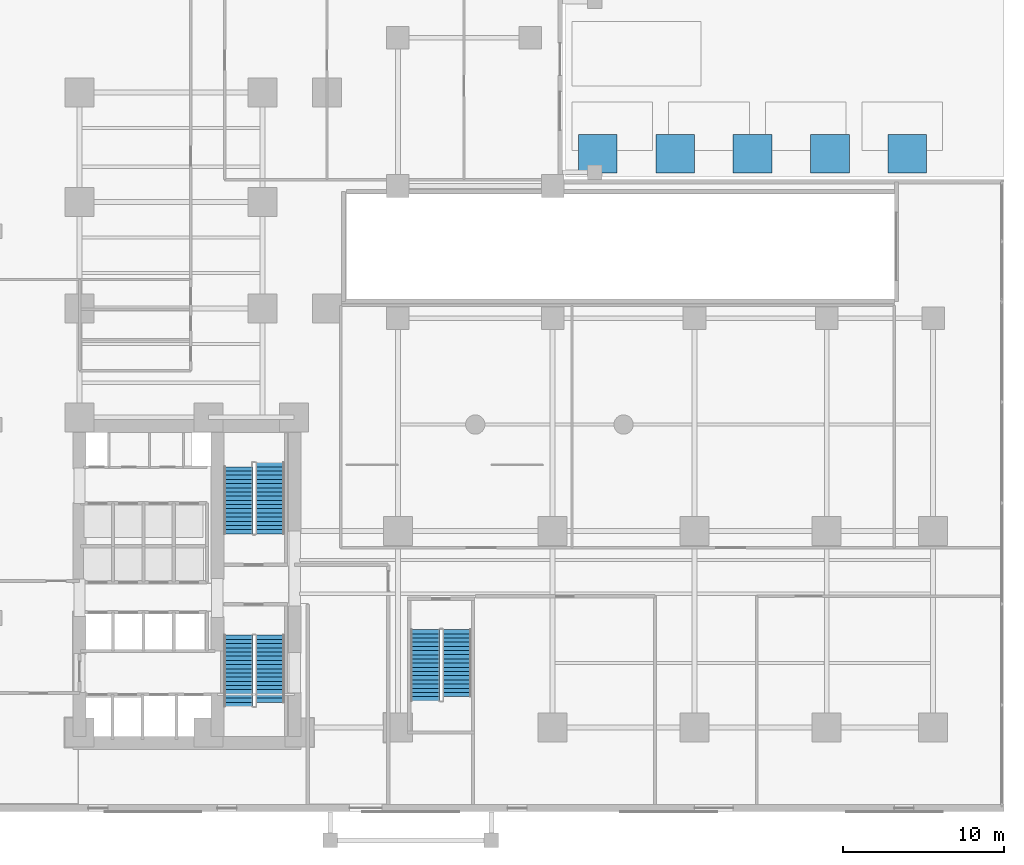
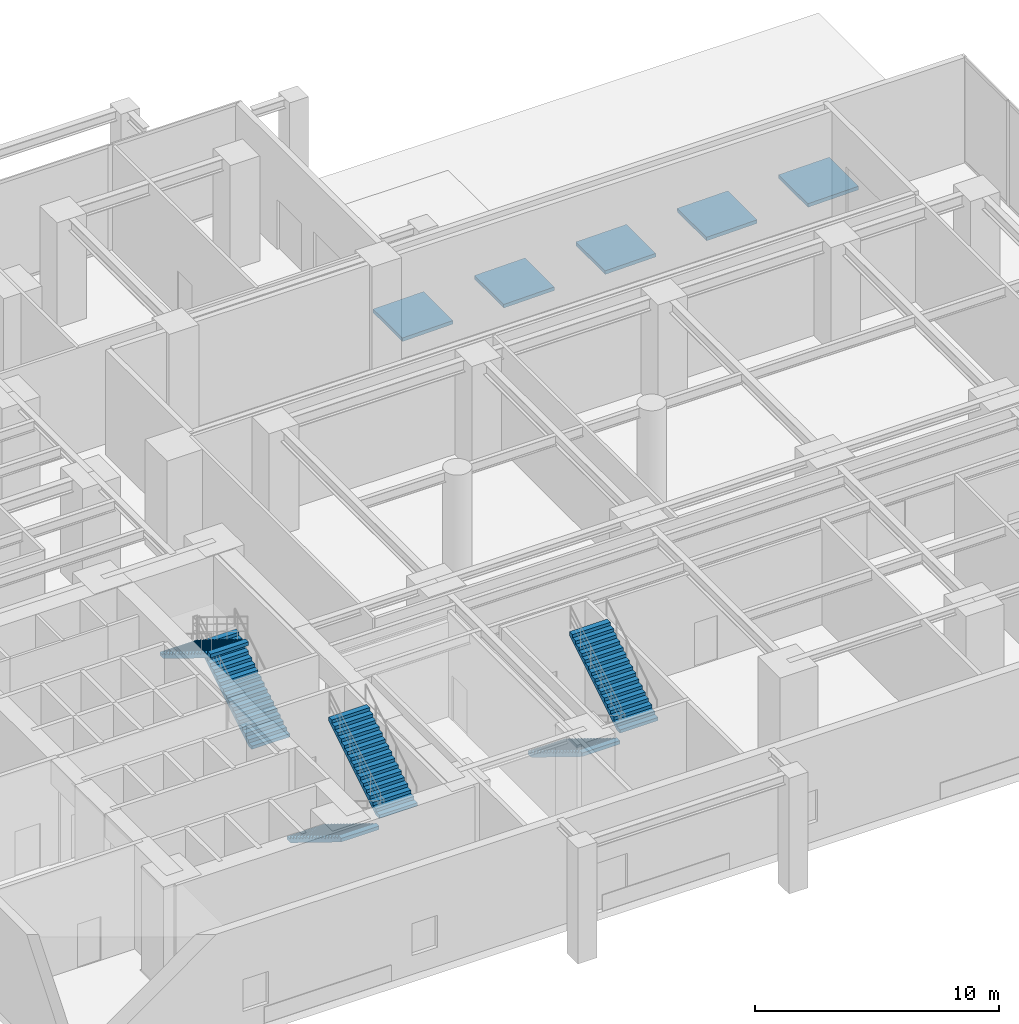
# One storey, part 14 of 17: 6 stair flights, 5 ramp flights, 8 elements without a shape of their own.
"""IFC4 building model written with IfcOpenShell, lengths in metres."""

from ifc_helpers import new_model, si_unit, direction, frame, origin, place, context, subcontext, project, spatial, polyline, outline, extrude, material, layer, layer_set, type_object, element, aggregate, save


model = new_model("IFC4")

# Units and contexts
model_context = context("Model", 3, precision=1e-05, world=origin(), true_north=direction((0.0, 1.0)))
body_context = subcontext(model_context, "Body", "Model", "MODEL_VIEW")
ifc_project = project(units=[si_unit("LENGTHUNIT", "METRE"), si_unit("AREAUNIT", "SQUARE_METRE"), si_unit("VOLUMEUNIT", "CUBIC_METRE"), si_unit("PLANEANGLEUNIT", "RADIAN"), si_unit("MASSUNIT", "GRAM", prefix="KILO")], contexts=[model_context])

# Site, building, storey
site_placement = place(None, origin())
site = spatial("IfcSite", under=ifc_project, at=site_placement, CompositionType="ELEMENT")
building_placement = place(site_placement, origin())
building = spatial("IfcBuilding", under=site, at=building_placement, Name="Kolvaren Waterfront Exchange", CompositionType="ELEMENT")
storey_placement = place(building_placement, origin())
storey = spatial("IfcBuildingStorey", under=building, at=storey_placement, Name="L01", CompositionType="ELEMENT", Elevation=0.0)

# Stair, stair flights
ifc_material = material(Name="Concrete C40/50", Category="concrete")
stair_type = type_object("IfcStairType", Name="ARC-STAIR-5600", PredefinedType="HALF_TURN_STAIR", material=ifc_material)
stair_1_placement = place(storey_placement, origin())
stair_1 = element("IfcStair", 1, at=stair_1_placement, inside=storey, type_object=stair_type, Name="L01 Smoke-proof exit stair ST1", PredefinedType="HALF_TURN_STAIR")
stair_flight_type = type_object("IfcStairFlightType", Name="ARC-FLIGHT-5600", PredefinedType="STRAIGHT", material=ifc_material)
stair_flight_1_placement = place(storey_placement, frame((17.300048828125, 10.929931640625, 0.0), z_axis=(0.0, 0.0, 1.0), x_axis=(0.0, -1.0, 0.0)))
stair_flight_1 = element("IfcStairFlight", 2, at=stair_flight_1_placement, type_object=stair_flight_type, Name="ST1 flight 1", NumberOfRisers=18, NumberOfTreads=17, PredefinedType="STRAIGHT", RiserHeight=0.16, TreadLength=0.26, context=body_context, shape_type="SweptSolid", body=[
    extrude(outline(polyline([(0.0, 0.0), (0.0, 0.159912109375), (0.260009765625, 0.159912109375), (0.260009765625, 0.320068359375), (0.52001953125, 0.320068359375), (0.52001953125, 0.47998046875), (0.780029296875, 0.47998046875), (0.780029296875, 0.639892578125), (1.0400390625, 0.639892578125), (1.0400390625, 0.800048828125), (1.300048828125, 0.800048828125), (1.300048828125, 0.9599609375), (1.56005859375, 0.9599609375), (1.56005859375, 1.1201171875), (1.820068359375, 1.1201171875), (1.820068359375, 1.280029296875), (2.080078125, 1.280029296875), (2.080078125, 1.43994140625), (2.340087890625, 1.43994140625), (2.340087890625, 1.60009765625), (2.60009765625, 1.60009765625), (2.60009765625, 1.760009765625), (2.860107421875, 1.760009765625), (2.860107421875, 1.919921875), (3.1201171875, 1.919921875), (3.1201171875, 2.080078125), (3.3798828125, 2.080078125), (3.3798828125, 2.239990234375), (3.639892578125, 2.239990234375), (3.639892578125, 2.39990234375), (3.89990234375, 2.39990234375), (3.89990234375, 2.56005859375), (4.159912109375, 2.56005859375), (4.159912109375, 2.719970703125), (4.419921875, 2.719970703125), (4.419921875, 2.8798828125), (4.419921875, 2.5439453125), (0.2861328125, 0.0), (0.0, 0.0)])), frame((0.0, 0.89990234375, 0.0), z_axis=(0.0, -1.0, 0.0), x_axis=(1.0, 0.0, 0.0)), (0.0, 0.0, 1.0), 1.800048828125),
])
stair_flight_2_placement = place(storey_placement, frame((19.260009765625, 6.77001953125, 2.8798828125), z_axis=(0.0, 0.0, 1.0), x_axis=(0.0, 1.0, 0.0)))
stair_flight_2 = element("IfcStairFlight", 3, at=stair_flight_2_placement, type_object=stair_flight_type, Name="ST1 flight 2", NumberOfRisers=17, NumberOfTreads=16, PredefinedType="STRAIGHT", RiserHeight=0.16, TreadLength=0.26, context=body_context, shape_type="SweptSolid", body=[
    extrude(outline(polyline([(0.0, 0.0), (0.0, 0.159912109375), (0.260009765625, 0.159912109375), (0.260009765625, 0.320068359375), (0.52001953125, 0.320068359375), (0.52001953125, 0.47998046875), (0.780029296875, 0.47998046875), (0.780029296875, 0.639892578125), (1.0400390625, 0.639892578125), (1.0400390625, 0.800048828125), (1.300048828125, 0.800048828125), (1.300048828125, 0.9599609375), (1.56005859375, 0.9599609375), (1.56005859375, 1.1201171875), (1.820068359375, 1.1201171875), (1.820068359375, 1.280029296875), (2.080078125, 1.280029296875), (2.080078125, 1.43994140625), (2.340087890625, 1.43994140625), (2.340087890625, 1.60009765625), (2.60009765625, 1.60009765625), (2.60009765625, 1.760009765625), (2.860107421875, 1.760009765625), (2.860107421875, 1.919921875), (3.1201171875, 1.919921875), (3.1201171875, 2.080078125), (3.3798828125, 2.080078125), (3.3798828125, 2.239990234375), (3.639892578125, 2.239990234375), (3.639892578125, 2.39990234375), (3.89990234375, 2.39990234375), (3.89990234375, 2.56005859375), (4.159912109375, 2.56005859375), (4.159912109375, 2.719970703125), (4.159912109375, 2.384033203125), (0.2861328125, 0.0), (0.0, 0.0)])), frame((0.0, 0.89990234375, 0.0), z_axis=(0.0, -1.0, 0.0), x_axis=(1.0, 0.0, 0.0)), (0.0, 0.0, 1.0), 1.800048828125),
])
aggregate(stair_1, [stair_flight_1, stair_flight_2])

stair_2_placement = place(storey_placement, origin())
stair_2 = element("IfcStair", 4, at=stair_2_placement, inside=storey, type_object=stair_type, Name="L01 Smoke-proof exit stair ST2", PredefinedType="HALF_TURN_STAIR")
stair_flight_3_placement = place(storey_placement, frame((19.260009765625, 17.219970703125, 0.0), z_axis=(0.0, 0.0, 1.0), x_axis=(0.0, 1.0, 0.0)))
stair_flight_3 = element("IfcStairFlight", 5, at=stair_flight_3_placement, type_object=stair_flight_type, Name="ST2 flight 1", NumberOfRisers=18, NumberOfTreads=17, PredefinedType="STRAIGHT", RiserHeight=0.16, TreadLength=0.26, context=body_context, shape_type="SweptSolid", body=[
    extrude(outline(polyline([(0.0, 0.0), (0.0, 0.159912109375), (0.260009765625, 0.159912109375), (0.260009765625, 0.320068359375), (0.52001953125, 0.320068359375), (0.52001953125, 0.47998046875), (0.780029296875, 0.47998046875), (0.780029296875, 0.639892578125), (1.0400390625, 0.639892578125), (1.0400390625, 0.800048828125), (1.300048828125, 0.800048828125), (1.300048828125, 0.9599609375), (1.56005859375, 0.9599609375), (1.56005859375, 1.1201171875), (1.820068359375, 1.1201171875), (1.820068359375, 1.280029296875), (2.080078125, 1.280029296875), (2.080078125, 1.43994140625), (2.340087890625, 1.43994140625), (2.340087890625, 1.60009765625), (2.60009765625, 1.60009765625), (2.60009765625, 1.760009765625), (2.860107421875, 1.760009765625), (2.860107421875, 1.919921875), (3.1201171875, 1.919921875), (3.1201171875, 2.080078125), (3.3798828125, 2.080078125), (3.3798828125, 2.239990234375), (3.639892578125, 2.239990234375), (3.639892578125, 2.39990234375), (3.89990234375, 2.39990234375), (3.89990234375, 2.56005859375), (4.159912109375, 2.56005859375), (4.159912109375, 2.719970703125), (4.419921875, 2.719970703125), (4.419921875, 2.8798828125), (4.419921875, 2.5439453125), (0.2861328125, 0.0), (0.0, 0.0)])), frame((0.0, 0.89990234375, 0.0), z_axis=(0.0, -1.0, 0.0), x_axis=(1.0, 0.0, 0.0)), (0.0, 0.0, 1.0), 1.800048828125),
])
stair_flight_4_placement = place(storey_placement, frame((17.300048828125, 21.3798828125, 2.8798828125), z_axis=(0.0, 0.0, 1.0), x_axis=(0.0, -1.0, 0.0)))
stair_flight_4 = element("IfcStairFlight", 6, at=stair_flight_4_placement, type_object=stair_flight_type, Name="ST2 flight 2", NumberOfRisers=17, NumberOfTreads=16, PredefinedType="STRAIGHT", RiserHeight=0.16, TreadLength=0.26, context=body_context, shape_type="SweptSolid", body=[
    extrude(outline(polyline([(0.0, 0.0), (0.0, 0.159912109375), (0.260009765625, 0.159912109375), (0.260009765625, 0.320068359375), (0.52001953125, 0.320068359375), (0.52001953125, 0.47998046875), (0.780029296875, 0.47998046875), (0.780029296875, 0.639892578125), (1.0400390625, 0.639892578125), (1.0400390625, 0.800048828125), (1.300048828125, 0.800048828125), (1.300048828125, 0.9599609375), (1.56005859375, 0.9599609375), (1.56005859375, 1.1201171875), (1.820068359375, 1.1201171875), (1.820068359375, 1.280029296875), (2.080078125, 1.280029296875), (2.080078125, 1.43994140625), (2.340087890625, 1.43994140625), (2.340087890625, 1.60009765625), (2.60009765625, 1.60009765625), (2.60009765625, 1.760009765625), (2.860107421875, 1.760009765625), (2.860107421875, 1.919921875), (3.1201171875, 1.919921875), (3.1201171875, 2.080078125), (3.3798828125, 2.080078125), (3.3798828125, 2.239990234375), (3.639892578125, 2.239990234375), (3.639892578125, 2.39990234375), (3.89990234375, 2.39990234375), (3.89990234375, 2.56005859375), (4.159912109375, 2.56005859375), (4.159912109375, 2.719970703125), (4.159912109375, 2.384033203125), (0.2861328125, 0.0), (0.0, 0.0)])), frame((0.0, 0.89990234375, 0.0), z_axis=(0.0, -1.0, 0.0), x_axis=(1.0, 0.0, 0.0)), (0.0, 0.0, 1.0), 1.800048828125),
])
aggregate(stair_2, [stair_flight_3, stair_flight_4])

stair_3_placement = place(storey_placement, origin())
stair_3 = element("IfcStair", 7, at=stair_3_placement, inside=storey, type_object=stair_type, Name="L01 Exit stair ST3", PredefinedType="HALF_TURN_STAIR")
stair_flight_5_placement = place(storey_placement, frame((28.89990234375, 11.280029296875, 0.0), z_axis=(0.0, 0.0, 1.0), x_axis=(0.0, -1.0, 0.0)))
stair_flight_5 = element("IfcStairFlight", 8, at=stair_flight_5_placement, type_object=stair_flight_type, Name="ST3 flight 1", NumberOfRisers=18, NumberOfTreads=17, PredefinedType="STRAIGHT", RiserHeight=0.16, TreadLength=0.26, context=body_context, shape_type="SweptSolid", body=[
    extrude(outline(polyline([(0.0, 0.0), (0.0, 0.159912109375), (0.260009765625, 0.159912109375), (0.260009765625, 0.320068359375), (0.52001953125, 0.320068359375), (0.52001953125, 0.47998046875), (0.780029296875, 0.47998046875), (0.780029296875, 0.639892578125), (1.0400390625, 0.639892578125), (1.0400390625, 0.800048828125), (1.300048828125, 0.800048828125), (1.300048828125, 0.9599609375), (1.56005859375, 0.9599609375), (1.56005859375, 1.1201171875), (1.820068359375, 1.1201171875), (1.820068359375, 1.280029296875), (2.080078125, 1.280029296875), (2.080078125, 1.43994140625), (2.340087890625, 1.43994140625), (2.340087890625, 1.60009765625), (2.60009765625, 1.60009765625), (2.60009765625, 1.760009765625), (2.860107421875, 1.760009765625), (2.860107421875, 1.919921875), (3.1201171875, 1.919921875), (3.1201171875, 2.080078125), (3.3798828125, 2.080078125), (3.3798828125, 2.239990234375), (3.639892578125, 2.239990234375), (3.639892578125, 2.39990234375), (3.89990234375, 2.39990234375), (3.89990234375, 2.56005859375), (4.159912109375, 2.56005859375), (4.159912109375, 2.719970703125), (4.419921875, 2.719970703125), (4.419921875, 2.8798828125), (4.419921875, 2.5439453125), (0.2861328125, 0.0), (0.0, 0.0)])), frame((0.0, 0.89990234375, 0.0), z_axis=(0.0, -1.0, 0.0), x_axis=(1.0, 0.0, 0.0)), (0.0, 0.0, 1.0), 1.800048828125),
])
stair_flight_6_placement = place(storey_placement, frame((30.860107421875, 7.1201171875, 2.8798828125), z_axis=(0.0, 0.0, 1.0), x_axis=(0.0, 1.0, 0.0)))
stair_flight_6 = element("IfcStairFlight", 9, at=stair_flight_6_placement, type_object=stair_flight_type, Name="ST3 flight 2", NumberOfRisers=17, NumberOfTreads=16, PredefinedType="STRAIGHT", RiserHeight=0.16, TreadLength=0.26, context=body_context, shape_type="SweptSolid", body=[
    extrude(outline(polyline([(0.0, 0.0), (0.0, 0.159912109375), (0.260009765625, 0.159912109375), (0.260009765625, 0.320068359375), (0.52001953125, 0.320068359375), (0.52001953125, 0.47998046875), (0.780029296875, 0.47998046875), (0.780029296875, 0.639892578125), (1.0400390625, 0.639892578125), (1.0400390625, 0.800048828125), (1.300048828125, 0.800048828125), (1.300048828125, 0.9599609375), (1.56005859375, 0.9599609375), (1.56005859375, 1.1201171875), (1.820068359375, 1.1201171875), (1.820068359375, 1.280029296875), (2.080078125, 1.280029296875), (2.080078125, 1.43994140625), (2.340087890625, 1.43994140625), (2.340087890625, 1.60009765625), (2.60009765625, 1.60009765625), (2.60009765625, 1.760009765625), (2.860107421875, 1.760009765625), (2.860107421875, 1.919921875), (3.1201171875, 1.919921875), (3.1201171875, 2.080078125), (3.3798828125, 2.080078125), (3.3798828125, 2.239990234375), (3.639892578125, 2.239990234375), (3.639892578125, 2.39990234375), (3.89990234375, 2.39990234375), (3.89990234375, 2.56005859375), (4.159912109375, 2.56005859375), (4.159912109375, 2.719970703125), (4.159912109375, 2.384033203125), (0.2861328125, 0.0), (0.0, 0.0)])), frame((0.0, 0.89990234375, 0.0), z_axis=(0.0, -1.0, 0.0), x_axis=(1.0, 0.0, 0.0)), (0.0, 0.0, 1.0), 1.800048828125),
])
aggregate(stair_3, [stair_flight_5, stair_flight_6])

# Ramp, ramp flight
ramp_type = type_object("IfcRampType", Name="STR-RAMP-PED", PredefinedType="STRAIGHT_RUN_RAMP", material=ifc_material)
ramp_1_placement = place(storey_placement, origin())
ramp_1 = element("IfcRamp", 10, at=ramp_1_placement, inside=storey, type_object=ramp_type, Name="L01 waterfront promenade accessible threshold ramp 1", PredefinedType="STRAIGHT_RUN_RAMP")
ifc_layer = layer(ifc_material, 0.179931640625, Name="Concrete C40/50")
ifc_layer_set = layer_set([ifc_layer], Name="Concrete C40/50")
ramp_flight_type = type_object("IfcRampFlightType", Name="STR-RFLIGHT-180", PredefinedType="STRAIGHT", material=ifc_layer_set)
ramp_flight_1_placement = place(storey_placement, frame((38.39990234375, 39.60009765625, 0.0), z_axis=(-0.016679603831, 0.0, 0.999860885732), x_axis=(0.999860885732, 0.0, 0.016679603831)))
ramp_flight_1 = element("IfcRampFlight", 11, at=ramp_flight_1_placement, type_object=ramp_flight_type, Name="Accessible ramp flight 1", PredefinedType="STRAIGHT", context=body_context, shape_type="SweptSolid", body=[
    extrude(outline(polyline([(0.0, 0.0), (2.400480425453112, 0.0), (2.400480425453112, 2.39990234375), (0.0, 2.39990234375), (0.0, 0.0)])), origin(), (0.0, 0.0, -1.0), 0.179931640625),
])
aggregate(ramp_1, [ramp_flight_1])

ramp_2_placement = place(storey_placement, origin())
ramp_2 = element("IfcRamp", 12, at=ramp_2_placement, inside=storey, type_object=ramp_type, Name="L01 waterfront promenade accessible threshold ramp 2", PredefinedType="STRAIGHT_RUN_RAMP")
ramp_flight_2_placement = place(storey_placement, frame((43.199951171875, 39.60009765625, 0.0), z_axis=(-0.016679603831, 0.0, 0.999860885732), x_axis=(0.999860885732, 0.0, 0.016679603831)))
ramp_flight_2 = element("IfcRampFlight", 13, at=ramp_flight_2_placement, type_object=ramp_flight_type, Name="Accessible ramp flight 2", PredefinedType="STRAIGHT", context=body_context, shape_type="SweptSolid", body=[
    extrude(outline(polyline([(0.0, 0.0), (2.400480425453112, 0.0), (2.400480425453112, 2.39990234375), (0.0, 2.39990234375), (0.0, 0.0)])), origin(), (0.0, 0.0, -1.0), 0.179931640625),
])
aggregate(ramp_2, [ramp_flight_2])

ramp_3_placement = place(storey_placement, origin())
ramp_3 = element("IfcRamp", 14, at=ramp_3_placement, inside=storey, type_object=ramp_type, Name="L01 waterfront promenade accessible threshold ramp 3", PredefinedType="STRAIGHT_RUN_RAMP")
ramp_flight_3_placement = place(storey_placement, frame((48.0, 39.60009765625, 0.0), z_axis=(-0.016681300165, 0.0, 0.999860857432), x_axis=(0.999860857432, 0.0, 0.016681300165)))
ramp_flight_3 = element("IfcRampFlight", 15, at=ramp_flight_3_placement, type_object=ramp_flight_type, Name="Accessible ramp flight 3", PredefinedType="STRAIGHT", context=body_context, shape_type="SweptSolid", body=[
    extrude(outline(polyline([(0.0, 0.0), (2.40023631879501, 0.0), (2.40023631879501, 2.39990234375), (0.0, 2.39990234375), (0.0, 0.0)])), origin(), (0.0, 0.0, -1.0), 0.179931640625),
])
aggregate(ramp_3, [ramp_flight_3])

ramp_4_placement = place(storey_placement, origin())
ramp_4 = element("IfcRamp", 16, at=ramp_4_placement, inside=storey, type_object=ramp_type, Name="L01 waterfront promenade accessible threshold ramp 4", PredefinedType="STRAIGHT_RUN_RAMP")
ramp_flight_4_placement = place(storey_placement, frame((52.800048828125, 39.60009765625, 0.0), z_axis=(-0.016681300165, 0.0, 0.999860857432), x_axis=(0.999860857432, 0.0, 0.016681300165)))
ramp_flight_4 = element("IfcRampFlight", 17, at=ramp_flight_4_placement, type_object=ramp_flight_type, Name="Accessible ramp flight 4", PredefinedType="STRAIGHT", context=body_context, shape_type="SweptSolid", body=[
    extrude(outline(polyline([(0.0, 0.0), (2.40023631879501, 0.0), (2.40023631879501, 2.39990234375), (0.0, 2.39990234375), (0.0, 0.0)])), origin(), (0.0, 0.0, -1.0), 0.179931640625),
])
aggregate(ramp_4, [ramp_flight_4])

ramp_5_placement = place(storey_placement, origin())
ramp_5 = element("IfcRamp", 18, at=ramp_5_placement, inside=storey, type_object=ramp_type, Name="L01 waterfront promenade accessible threshold ramp 5", PredefinedType="STRAIGHT_RUN_RAMP")
ramp_flight_5_placement = place(storey_placement, frame((57.60009765625, 39.60009765625, 0.0), z_axis=(-0.016681300165, 0.0, 0.999860857432), x_axis=(0.999860857432, 0.0, 0.016681300165)))
ramp_flight_5 = element("IfcRampFlight", 19, at=ramp_flight_5_placement, type_object=ramp_flight_type, Name="Accessible ramp flight 5", PredefinedType="STRAIGHT", context=body_context, shape_type="SweptSolid", body=[
    extrude(outline(polyline([(0.0, 0.0), (2.40023631879501, 0.0), (2.40023631879501, 2.39990234375), (0.0, 2.39990234375), (0.0, 0.0)])), origin(), (0.0, 0.0, -1.0), 0.179931640625),
])
aggregate(ramp_5, [ramp_flight_5])

save(model, "model.ifc")
